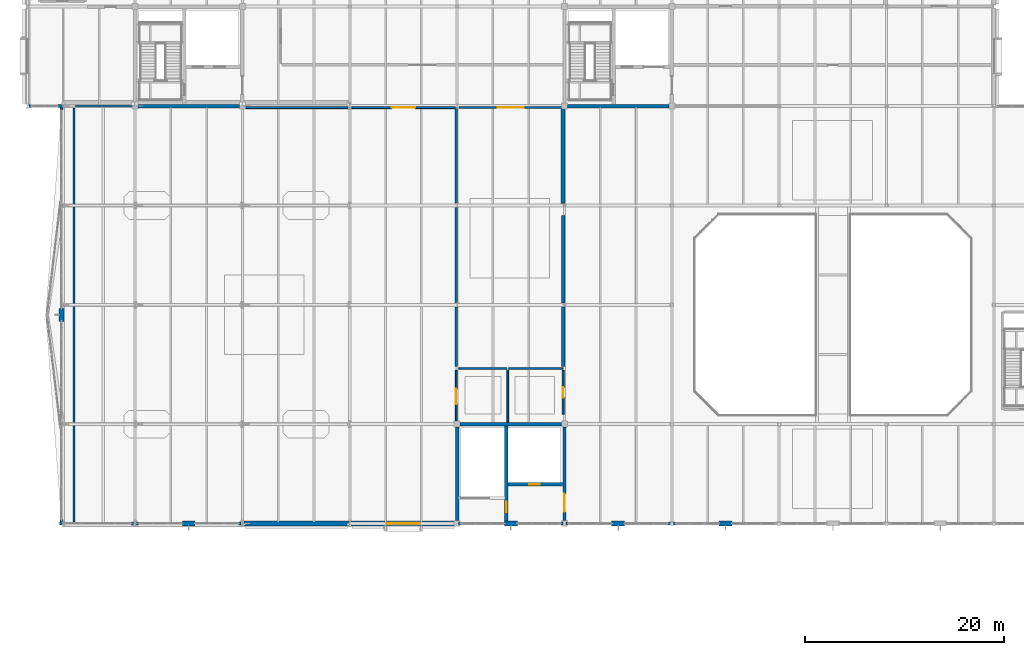
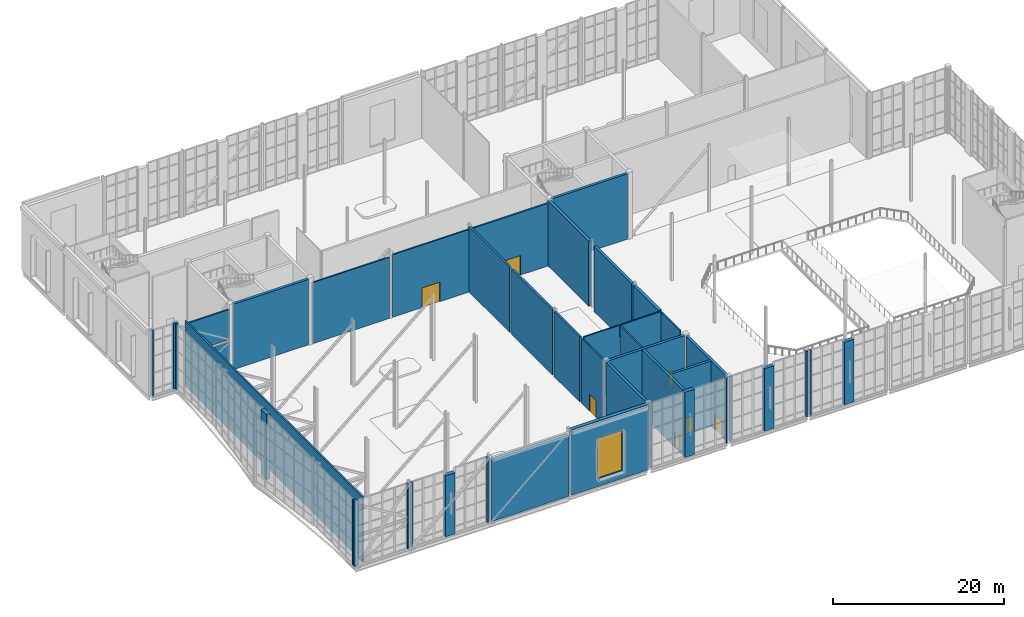
# One storey, part 85 of 100: 44 walls, 7 doors, 1 window, 8 openings.
"""IFC4 building model written with IfcOpenShell, lengths in metres."""

from ifc_helpers import new_model, si_unit, direction, frame, frame_2d, origin, place, context, subcontext, project, spatial, rectangle, extrude, material, layer, layer_set, type_object, element, fill, save


model = new_model("IFC4")

# Units and contexts
model_context = context("Model", 3, precision=1e-05, world=origin(), true_north=direction((0.0, 1.0)))
body_context = subcontext(model_context, "Body", "Model", "MODEL_VIEW")
ifc_project = project(units=[si_unit("LENGTHUNIT", "METRE"), si_unit("AREAUNIT", "SQUARE_METRE"), si_unit("VOLUMEUNIT", "CUBIC_METRE"), si_unit("PLANEANGLEUNIT", "RADIAN"), si_unit("MASSUNIT", "GRAM", prefix="KILO")], contexts=[model_context])

# Site, building, storey
site_placement = place(None, origin())
site = spatial("IfcSite", under=ifc_project, at=site_placement, CompositionType="ELEMENT")
building_placement = place(site_placement, origin())
building = spatial("IfcBuilding", under=site, at=building_placement, Name="Tasgan Crest Museum", CompositionType="ELEMENT")
storey_placement = place(building_placement, frame((0.0, 0.0, 14.39990234375)))
storey = spatial("IfcBuildingStorey", under=building, at=storey_placement, Name="L03", CompositionType="ELEMENT", Elevation=14.39990234375)

# Walls
ifc_material_1 = material(Name="Concrete C40/50", Category="concrete")
ifc_layer_1 = layer(ifc_material_1, 0.35009765625, Name="WL-CORE-350")
ifc_layer_set_1 = layer_set([ifc_layer_1], Name="Concrete C40/50")
wall_type_1 = type_object("IfcWallType", Name="WL-CORE-350", PredefinedType="SHEAR", material=ifc_layer_set_1)
for number, where, z_axis, x_axis, name in (
    (1, (11.10009765625, 82.0, 0.0), (0.0, 0.0, 1.0), (1.0, 0.0, 0.0), "North-West Gallery Core south shear wall L03"),
    (2, (54.300048828125, 82.0, 0.0), (0.0, 0.0, 1.0), (1.0, 0.0, 0.0), "North-Central Sawtooth Core south shear wall L03"),
    (3, (43.5, 50.0, 0.0), (0.0, 0.0, 1.0), (1.0, 0.0, 0.0), "South-West Foyer & Paleontology Core north shear wall L03"),
):
    element("IfcWall", number, at=place(storey_placement, frame(where, z_axis=z_axis, x_axis=x_axis)), inside=storey, type_object=wall_type_1, Name=name, PredefinedType="SHEAR", context=body_context, shape_type="SweptSolid", body=[
        extrude(rectangle(XDim=10.199951171875, YDim=0.35009765625, at=frame_2d((5.10009765625, 0.0))), origin(), (0.0, 0.0, 1.0), 9.360107421875),
    ])
wall_1_placement = place(storey_placement, frame((43.199951171875, 40.300048828125, 0.0), z_axis=(0.0, 0.0, 1.0), x_axis=(0.0, 1.0, 0.0)))
element("IfcWall", 4, at=wall_1_placement, inside=storey, type_object=wall_type_1, Name="South-West Foyer & Paleontology Core west shear wall L03", PredefinedType="SHEAR", context=body_context, shape_type="SweptSolid", body=[
    extrude(rectangle(XDim=9.39990234375, YDim=0.35009765625, at=frame_2d((4.699951171875, 0.0))), origin(), (0.0, 0.0, 1.0), 9.360107421875),
])

# Wall, opening, door
wall_2_placement = place(storey_placement, frame((54.0, 40.300048828125, 0.0), z_axis=(0.0, 0.0, 1.0), x_axis=(0.0, 1.0, 0.0)))
wall_2 = element("IfcWall", 5, at=wall_2_placement, inside=storey, type_object=wall_type_1, Name="South-West Foyer & Paleontology Core east shear wall L03", PredefinedType="SHEAR", context=body_context, shape_type="SweptSolid", body=[
    extrude(rectangle(XDim=9.39990234375, YDim=0.35009765625, at=frame_2d((4.699951171875, 0.0))), origin(), (0.0, 0.0, 1.0), 9.360107421875),
])
opening_1_placement = place(wall_2_placement, frame((0.8798828125, 0.0, 0.0)))
opening_1 = element("IfcOpeningElement", 6, at=opening_1_placement, cuts=wall_2, Name="Opening LD-SW-L03", PredefinedType="OPENING", context=body_context, shape_type="SweptSolid", body=[
    extrude(rectangle(XDim=1.800048828125, YDim=2.25, at=frame_2d((0.89990234375, 1.125))), frame((0.0, 0.18505859375, 0.0), z_axis=(0.0, -1.0, 0.0), x_axis=(1.0, 0.0, 0.0)), (0.0, 0.0, 1.0), 0.3701171875),
])
ifc_material_2 = material(Name="Fire-Rated Double Lobby Door")
door_type_1 = type_object("IfcDoorType", Name="DR-FD2-1800", OperationType="NOTDEFINED", PredefinedType="DOOR", material=ifc_material_2)
door_1_placement = place(opening_1_placement, origin())
door_1 = element("IfcDoor", 7, at=door_1_placement, inside=storey, type_object=door_type_1, Name="South-West Foyer & Paleontology Core lobby door L03", OperationType="DOUBLE_DOOR_SINGLE_SWING", OverallHeight=2.25, OverallWidth=1.800048828125, PredefinedType="DOOR", context=body_context, shape_type="SweptSolid", body=[
    extrude(rectangle(XDim=1.800048828125, YDim=2.25, at=frame_2d((0.89990234375, 1.125))), frame((0.0, 0.02490234375, 0.0), z_axis=(0.0, -1.0, 0.0), x_axis=(1.0, 0.0, 0.0)), (0.0, 0.0, 1.0), 0.050048828125),
])
fill(opening_1, door_1)

wall_3_placement = place(storey_placement, frame((48.14990234375, 40.219970703125, 0.0), z_axis=(0.0, 0.0, 1.0), x_axis=(0.0, 1.0, 0.0)))
wall_3 = element("IfcWall", 8, at=wall_3_placement, inside=storey, type_object=wall_type_1, Name="South-West Foyer & Paleontology Core stair-lobby shear wall L03", PredefinedType="SHEAR", context=body_context, shape_type="SweptSolid", body=[
    extrude(rectangle(XDim=9.60498046875, YDim=0.35009765625, at=frame_2d((4.802490234375, 0.0))), origin(), (0.0, 0.0, 1.0), 9.360107421875),
])
opening_2_placement = place(wall_3_placement, frame((0.89990234375, 0.0, 0.0)))
opening_2 = element("IfcOpeningElement", 9, at=opening_2_placement, cuts=wall_3, Name="Opening SD-SW-L03", PredefinedType="OPENING", context=body_context, shape_type="SweptSolid", body=[
    extrude(rectangle(XDim=1.10009765625, YDim=2.199951171875, at=frame_2d((0.550048828125, 1.10009765625))), frame((0.0, 0.18505859375, 0.0), z_axis=(0.0, -1.0, 0.0), x_axis=(1.0, 0.0, 0.0)), (0.0, 0.0, 1.0), 0.3701171875),
])
ifc_material_3 = material(Name="Fire-Rated Steel Door", Category="steel")
door_type_2 = type_object("IfcDoorType", Name="DR-FD1-1100", OperationType="NOTDEFINED", PredefinedType="DOOR", material=ifc_material_3)
door_2_placement = place(opening_2_placement, origin())
door_2 = element("IfcDoor", 10, at=door_2_placement, inside=storey, type_object=door_type_2, Name="South-West Foyer & Paleontology Core stair door L03", OperationType="SINGLE_SWING_RIGHT", OverallHeight=2.199951171875, OverallWidth=1.10009765625, PredefinedType="DOOR", context=body_context, shape_type="SweptSolid", body=[
    extrude(rectangle(XDim=1.10009765625, YDim=2.199951171875, at=frame_2d((0.550048828125, 1.10009765625))), frame((0.0, 0.02490234375, 0.0), z_axis=(0.0, -1.0, 0.0), x_axis=(1.0, 0.0, 0.0)), (0.0, 0.0, 1.0), 0.050048828125),
])
fill(opening_2, door_2)

wall_4_placement = place(storey_placement, frame((48.330078125, 43.949951171875, 0.0), z_axis=(0.0, 0.0, 1.0), x_axis=(1.0, 0.0, 0.0)))
wall_4 = element("IfcWall", 11, at=wall_4_placement, inside=storey, type_object=wall_type_1, Name="South-West Foyer & Paleontology Core lift-shaft wall L03", PredefinedType="SHEAR", context=body_context, shape_type="SweptSolid", body=[
    extrude(rectangle(XDim=5.489990234375, YDim=0.35009765625, at=frame_2d((2.7451171875, 0.0))), origin(), (0.0, 0.0, 1.0), 9.360107421875),
])
opening_3_placement = place(wall_4_placement, frame((2.10009765625, 0.0, 0.0)))
opening_3 = element("IfcOpeningElement", 12, at=opening_3_placement, cuts=wall_4, Name="Opening LD-PL3", PredefinedType="OPENING", context=body_context, shape_type="SweptSolid", body=[
    extrude(rectangle(XDim=1.10009765625, YDim=2.199951171875, at=frame_2d((0.550048828125, 1.10009765625))), frame((0.0, 0.18505859375, 0.0), z_axis=(0.0, -1.0, 0.0), x_axis=(1.0, 0.0, 0.0)), (0.0, 0.0, 1.0), 0.3701171875),
])
ifc_material_4 = material(Name="Brushed Bronze Passenger Lift Landing Door")
door_type_3 = type_object("IfcDoorType", Name="LD-PAX-1100", OperationType="NOTDEFINED", PredefinedType="DOOR", material=ifc_material_4)
door_3_placement = place(opening_3_placement, origin())
door_3 = element("IfcDoor", 13, at=door_3_placement, inside=storey, type_object=door_type_3, Name="Lift landing sliding door PL3 L03", OperationType="DOUBLE_DOOR_SLIDING", OverallHeight=2.199951171875, OverallWidth=1.10009765625, PredefinedType="DOOR", context=body_context, shape_type="SweptSolid", body=[
    extrude(rectangle(XDim=1.10009765625, YDim=2.199951171875, at=frame_2d((0.550048828125, 1.10009765625))), frame((0.0, 0.02490234375, 0.0), z_axis=(0.0, -1.0, 0.0), x_axis=(1.0, 0.0, 0.0)), (0.0, 0.0, 1.0), 0.050048828125),
])
fill(opening_3, door_3)

# Walls
ifc_material_5 = material(Name="Precast concrete C40/50", Category="concrete")
ifc_layer_2 = layer(ifc_material_5, 0.320068359375, Name="WL-EXT-CLER-320")
ifc_layer_set_2 = layer_set([ifc_layer_2], Name="Precast concrete C40/50")
wall_type_2 = type_object("IfcWallType", Name="WL-EXT-CLER-320", PredefinedType="STANDARD", material=ifc_layer_set_2)
wall_5_placement = place(storey_placement, frame((0.14501953125, 82.0, 0.0), z_axis=(0.0, 0.0, 1.0), x_axis=(1.0, 0.0, 0.0)))
element("IfcWall", 14, at=wall_5_placement, inside=storey, type_object=wall_type_2, Name="Curtain wall jamb closure L03 JL", PredefinedType="STANDARD", context=body_context, shape_type="SweptSolid", body=[
    extrude(rectangle(XDim=0.22509765625, YDim=0.300048828125, at=frame_2d((0.112548828125, 0.0))), origin(), (0.0, 0.0, 1.0), 9.360107421875),
])
wall_6_placement = place(storey_placement, frame((3.030029296875, 82.0, 0.0), z_axis=(0.0, 0.0, 1.0), x_axis=(1.0, 0.0, 0.0)))
element("IfcWall", 15, at=wall_6_placement, inside=storey, type_object=wall_type_2, Name="Curtain wall jamb closure L03 JR", PredefinedType="STANDARD", context=body_context, shape_type="SweptSolid", body=[
    extrude(rectangle(XDim=0.56005859375, YDim=0.300048828125, at=frame_2d((0.280029296875, 0.0))), origin(), (0.0, 0.0, 1.0), 9.360107421875),
])
for number, where, z_axis, x_axis, name in (
    (16, (3.39990234375, 81.820068359375, 0.0), (0.0, 0.0, 1.0), (0.0, -1.0, 0.0), "Curtain wall jamb closure L03 JL"),
    (17, (3.39990234375, 40.3701171875, 0.0), (0.0, 0.0, 1.0), (0.0, -1.0, 0.0), "Curtain wall jamb closure L03 JR"),
):
    element("IfcWall", number, at=place(storey_placement, frame(where, z_axis=z_axis, x_axis=x_axis)), inside=storey, type_object=wall_type_2, Name=name, PredefinedType="STANDARD", context=body_context, shape_type="SweptSolid", body=[
        extrude(rectangle(XDim=0.190185546875, YDim=0.300048828125, at=frame_2d((0.09521484375, 0.0))), origin(), (0.0, 0.0, 1.0), 9.360107421875),
    ])
wall_7_placement = place(storey_placement, frame((3.2099609375, 40.0, 0.0), z_axis=(0.0, 0.0, 1.0), x_axis=(1.0, 0.0, 0.0)))
element("IfcWall", 18, at=wall_7_placement, inside=storey, type_object=wall_type_2, Name="Curtain wall jamb closure L03 JL", PredefinedType="STANDARD", context=body_context, shape_type="SweptSolid", body=[
    extrude(rectangle(XDim=0.56005859375, YDim=0.300048828125, at=frame_2d((0.280029296875, 0.0))), origin(), (0.0, 0.0, 1.0), 9.360107421875),
])
wall_8_placement = place(storey_placement, frame((10.429931640625, 40.0, 0.0), z_axis=(0.0, 0.0, 1.0), x_axis=(1.0, 0.0, 0.0)))
element("IfcWall", 19, at=wall_8_placement, inside=storey, type_object=wall_type_2, Name="Curtain wall jamb closure L03 JR", PredefinedType="STANDARD", context=body_context, shape_type="SweptSolid", body=[
    extrude(rectangle(XDim=0.22509765625, YDim=0.300048828125, at=frame_2d((0.112548828125, 0.0))), origin(), (0.0, 0.0, 1.0), 9.360107421875),
])
wall_9_placement = place(storey_placement, frame((10.945068359375, 40.0, 0.0), z_axis=(0.0, 0.0, 1.0), x_axis=(1.0, 0.0, 0.0)))
element("IfcWall", 20, at=wall_9_placement, inside=storey, type_object=wall_type_2, Name="Curtain wall jamb closure L03 JL", PredefinedType="STANDARD", context=body_context, shape_type="SweptSolid", body=[
    extrude(rectangle(XDim=0.224853515625, YDim=0.300048828125, at=frame_2d((0.1123046875, 0.0))), origin(), (0.0, 0.0, 1.0), 9.360107421875),
])
for number, where, z_axis, x_axis, name in (
    (21, (21.22998046875, 40.0, 0.0), (0.0, 0.0, 1.0), (1.0, 0.0, 0.0), "Curtain wall jamb closure L03 JR"),
    (22, (43.344970703125, 40.0, 0.0), (0.0, 0.0, 1.0), (1.0, 0.0, 0.0), "Curtain wall jamb closure L03 JL"),
    (23, (53.6298828125, 40.0, 0.0), (0.0, 0.0, 1.0), (1.0, 0.0, 0.0), "Curtain wall jamb closure L03 JR"),
    (24, (54.14501953125, 40.0, 0.0), (0.0, 0.0, 1.0), (1.0, 0.0, 0.0), "Curtain wall jamb closure L03 JL"),
    (25, (64.429931640625, 40.0, 0.0), (0.0, 0.0, 1.0), (1.0, 0.0, 0.0), "Curtain wall jamb closure L03 JR"),
):
    element("IfcWall", number, at=place(storey_placement, frame(where, z_axis=z_axis, x_axis=x_axis)), inside=storey, type_object=wall_type_2, Name=name, PredefinedType="STANDARD", context=body_context, shape_type="SweptSolid", body=[
        extrude(rectangle(XDim=0.22509765625, YDim=0.300048828125, at=frame_2d((0.112548828125, 0.0))), origin(), (0.0, 0.0, 1.0), 9.360107421875),
    ])
wall_10_placement = place(storey_placement, frame((64.945068359375, 40.0, 0.0), z_axis=(0.0, 0.0, 1.0), x_axis=(1.0, 0.0, 0.0)))
element("IfcWall", 26, at=wall_10_placement, inside=storey, type_object=wall_type_2, Name="Curtain wall jamb closure L03 JL", PredefinedType="STANDARD", context=body_context, shape_type="SweptSolid", body=[
    extrude(rectangle(XDim=0.224853515625, YDim=0.300048828125, at=frame_2d((0.1123046875, 0.0))), origin(), (0.0, 0.0, 1.0), 9.360107421875),
])
ifc_material_6 = material(Name="Precast concrete C40/50", Category="concrete")
ifc_layer_3 = layer(ifc_material_6, 0.47998046875, Name="WL-EXT-GRAN-480")
ifc_layer_set_3 = layer_set([ifc_layer_3], Name="Precast concrete C40/50")
wall_type_3 = type_object("IfcWallType", Name="WL-EXT-GRAN-480", PredefinedType="STANDARD", material=ifc_layer_set_3)
wall_11_placement = place(storey_placement, frame((3.39990234375, 61.64990234375, 0.0), z_axis=(0.0, 0.0, 1.0), x_axis=(0.0, -1.0, 0.0)))
element("IfcWall", 27, at=wall_11_placement, inside=storey, type_object=wall_type_3, Name="Postmodern facade stone pier L03", PredefinedType="STANDARD", context=body_context, shape_type="SweptSolid", body=[
    extrude(rectangle(XDim=1.2998046875, YDim=0.47998046875, at=frame_2d((0.64990234375, 0.0))), origin(), (0.0, 0.0, 1.0), 9.360107421875),
])
wall_12_placement = place(storey_placement, frame((15.550048828125, 40.0, 0.0), z_axis=(0.0, 0.0, 1.0), x_axis=(1.0, 0.0, 0.0)))
element("IfcWall", 28, at=wall_12_placement, inside=storey, type_object=wall_type_3, Name="Postmodern facade stone pier L03", PredefinedType="STANDARD", context=body_context, shape_type="SweptSolid", body=[
    extrude(rectangle(XDim=1.300048828125, YDim=0.47998046875, at=frame_2d((0.64990234375, 0.0))), origin(), (0.0, 0.0, 1.0), 8.759033203125),
])
wall_13_placement = place(storey_placement, frame((21.7451171875, 40.0, 0.0), z_axis=(0.0, 0.0, 1.0), x_axis=(1.0, 0.0, 0.0)))
element("IfcWall", 29, at=wall_13_placement, inside=storey, type_object=wall_type_3, Name="Exterior wall L03 (27.0,40.0)", PredefinedType="STANDARD", context=body_context, shape_type="SweptSolid", body=[
    extrude(rectangle(XDim=10.509765625, YDim=0.47998046875, at=frame_2d((5.2548828125, 0.0))), origin(), (0.0, 0.0, 1.0), 8.759033203125),
])

# Wall, opening, window
wall_14_placement = place(storey_placement, frame((32.544921875, 40.0, 0.0), z_axis=(0.0, 0.0, 1.0), x_axis=(1.0, 0.0, 0.0)))
wall_14 = element("IfcWall", 30, at=wall_14_placement, inside=storey, type_object=wall_type_3, Name="Exterior wall L03 (37.8,40.0)", PredefinedType="STANDARD", context=body_context, shape_type="SweptSolid", body=[
    extrude(rectangle(XDim=10.510009765625, YDim=0.47998046875, at=frame_2d((5.2548828125, 0.0))), origin(), (0.0, 0.0, 1.0), 9.360107421875),
])
opening_4_placement = place(wall_14_placement, frame((3.554931640625, 0.0, 1.10009765625)))
opening_4 = element("IfcOpeningElement", 31, at=opening_4_placement, cuts=wall_14, Name="Opening W09", PredefinedType="OPENING", context=body_context, shape_type="SweptSolid", body=[
    extrude(rectangle(XDim=3.39990234375, YDim=5.800048828125, at=frame_2d((1.699951171875, 2.89990234375))), frame((0.0, 0.25, 0.0), z_axis=(0.0, -1.0, 0.0), x_axis=(1.0, 0.0, 0.0)), (0.0, 0.0, 1.0), 0.5),
])
ifc_material_7 = material(Name="Thermally Broken Triple-Glazed Aluminium", Category="aluminium")
window_type = type_object("IfcWindowType", Name="WN-GAL-DH-3400X5800", PartitioningType="SINGLE_PANEL", PredefinedType="WINDOW", material=ifc_material_7)
window_placement = place(opening_4_placement, origin())
window = element("IfcWindow", 32, at=window_placement, inside=storey, type_object=window_type, Name="Window W09 L03-059", OverallHeight=5.800048828125, OverallWidth=3.39990234375, PartitioningType="SINGLE_PANEL", PredefinedType="WINDOW", context=body_context, shape_type="SweptSolid", body=[
    extrude(rectangle(XDim=3.39990234375, YDim=5.800048828125, at=frame_2d((1.699951171875, 2.89990234375))), frame((0.0, 0.030029296875, 0.0), z_axis=(0.0, -1.0, 0.0), x_axis=(1.0, 0.0, 0.0)), (0.0, 0.0, 1.0), 0.06005859375),
])
fill(opening_4, window)

# Walls
wall_15_placement = place(storey_placement, frame((47.949951171875, 40.0, 0.0), z_axis=(0.0, 0.0, 1.0), x_axis=(1.0, 0.0, 0.0)))
element("IfcWall", 33, at=wall_15_placement, inside=storey, type_object=wall_type_3, Name="Postmodern facade stone pier L03", PredefinedType="STANDARD", context=body_context, shape_type="SweptSolid", body=[
    extrude(rectangle(XDim=1.300048828125, YDim=0.47998046875, at=frame_2d((0.64990234375, 0.0))), origin(), (0.0, 0.0, 1.0), 9.360107421875),
])
for number, where, z_axis, x_axis, name in (
    (34, (58.75, 40.0, 0.0), (0.0, 0.0, 1.0), (1.0, 0.0, 0.0), "Postmodern facade stone pier L03"),
    (35, (69.550048828125, 40.0, 0.0), (0.0, 0.0, 1.0), (1.0, 0.0, 0.0), "Postmodern facade stone pier L03"),
):
    element("IfcWall", number, at=place(storey_placement, frame(where, z_axis=z_axis, x_axis=x_axis)), inside=storey, type_object=wall_type_3, Name=name, PredefinedType="STANDARD", context=body_context, shape_type="SweptSolid", body=[
        extrude(rectangle(XDim=1.300048828125, YDim=0.47998046875, at=frame_2d((0.64990234375, 0.0))), origin(), (0.0, 0.0, 1.0), 8.960205078125),
    ])

# Wall, opening, door
ifc_material_8 = material(Name="Sanitary Plumbing Chase Wall")
ifc_layer_4 = layer(ifc_material_8, 0.179931640625, Name="WL-PLUMB-180")
ifc_layer_set_4 = layer_set([ifc_layer_4], Name="Sanitary Plumbing Chase Wall")
wall_type_4 = type_object("IfcWallType", Name="WL-PLUMB-180", PredefinedType="PLUMBINGWALL", material=ifc_layer_set_4)
wall_16_placement = place(storey_placement, frame((43.10009765625, 50.179931640625, 0.0), z_axis=(0.0, 0.0, 1.0), x_axis=(0.0, 1.0, 0.0)))
wall_16 = element("IfcWall", 36, at=wall_16_placement, inside=storey, type_object=wall_type_4, Name="Partition Grand Cantilevered Paleontology Dinosaur Hall / Third Floor Public WC L03", PredefinedType="PLUMBINGWALL", context=body_context, shape_type="SweptSolid", body=[
    extrude(rectangle(XDim=5.219970703125, YDim=0.179931640625, at=frame_2d((2.60986328125, 0.0))), origin(), (0.0, 0.0, 1.0), 9.320068359375),
])
opening_5_placement = place(wall_16_placement, frame((1.820068359375, 0.0, 0.0)))
opening_5 = element("IfcOpeningElement", 37, at=opening_5_placement, cuts=wall_16, Name="Opening D083", PredefinedType="OPENING", context=body_context, shape_type="SweptSolid", body=[
    extrude(rectangle(XDim=1.580078125, YDim=2.47998046875, at=frame_2d((0.7900390625, 1.239990234375))), frame((0.0, 0.099853515625, 0.0), z_axis=(0.0, -1.0, 0.0), x_axis=(1.0, 0.0, 0.0)), (0.0, 0.0, 1.0), 0.199951171875),
])
ifc_material_9 = material(Name="Oak and Brushed Bronze Acoustic Door")
door_type_4 = type_object("IfcDoorType", Name="DR-SCH-27", OperationType="NOTDEFINED", PredefinedType="DOOR", material=ifc_material_9)
door_4_placement = place(opening_5_placement, origin())
door_4 = element("IfcDoor", 38, at=door_4_placement, inside=storey, type_object=door_type_4, Name="Third Floor Public WC door D083", OperationType="SINGLE_SWING_LEFT", OverallHeight=2.47998046875, OverallWidth=1.580078125, PredefinedType="DOOR", context=body_context, shape_type="SweptSolid", body=[
    extrude(rectangle(XDim=1.580078125, YDim=2.47998046875, at=frame_2d((0.7900390625, 1.239990234375))), frame((0.0, 0.02490234375, 0.0), z_axis=(0.0, -1.0, 0.0), x_axis=(1.0, 0.0, 0.0)), (0.0, 0.0, 1.0), 0.050048828125),
])
fill(opening_5, door_4)

wall_17_placement = place(storey_placement, frame((53.860107421875, 51.0, 0.0), z_axis=(0.0, 0.0, 1.0), x_axis=(0.0, 1.0, 0.0)))
wall_17 = element("IfcWall", 39, at=wall_17_placement, inside=storey, type_object=wall_type_4, Name="Partition Third Floor Accessible WC / West Dinosaur Overlook Promenade L03", PredefinedType="PLUMBINGWALL", context=body_context, shape_type="SweptSolid", body=[
    extrude(rectangle(XDim=4.39990234375, YDim=0.179931640625, at=frame_2d((2.199951171875, 0.0))), origin(), (0.0, 0.0, 1.0), 9.320068359375),
])
opening_6_placement = place(wall_17_placement, frame((1.675048828125, 0.0, 0.0)))
opening_6 = element("IfcOpeningElement", 40, at=opening_6_placement, cuts=wall_17, Name="Opening D084", PredefinedType="OPENING", context=body_context, shape_type="SweptSolid", body=[
    extrude(rectangle(XDim=1.050048828125, YDim=2.14990234375, at=frame_2d((0.52490234375, 1.074951171875))), frame((0.0, 0.099853515625, 0.0), z_axis=(0.0, -1.0, 0.0), x_axis=(1.0, 0.0, 0.0)), (0.0, 0.0, 1.0), 0.199951171875),
])
ifc_material_10 = material(Name="Accessible WC Outward-Opening Door")
door_type_5 = type_object("IfcDoorType", Name="DR-WC-ACC-1050", OperationType="NOTDEFINED", PredefinedType="DOOR", material=ifc_material_10)
door_5_placement = place(opening_6_placement, origin())
door_5 = element("IfcDoor", 41, at=door_5_placement, inside=storey, type_object=door_type_5, Name="Third Floor Accessible WC door D084", OperationType="SINGLE_SWING_RIGHT", OverallHeight=2.14990234375, OverallWidth=1.050048828125, PredefinedType="DOOR", context=body_context, shape_type="SweptSolid", body=[
    extrude(rectangle(XDim=1.050048828125, YDim=2.14990234375, at=frame_2d((0.52490234375, 1.074951171875))), frame((0.0, 0.02490234375, 0.0), z_axis=(0.0, -1.0, 0.0), x_axis=(1.0, 0.0, 0.0)), (0.0, 0.0, 1.0), 0.050048828125),
])
fill(opening_6, door_5)

# Walls
wall_18_placement = place(storey_placement, frame((43.3798828125, 55.60009765625, 0.0), z_axis=(0.0, 0.0, 1.0), x_axis=(1.0, 0.0, 0.0)))
element("IfcWall", 42, at=wall_18_placement, inside=storey, type_object=wall_type_4, Name="Partition Third Floor Public WC / Large Skeleton Rigging and Conservation Studio L03", PredefinedType="PLUMBINGWALL", context=body_context, shape_type="SweptSolid", body=[
    extrude(rectangle(XDim=4.820068359375, YDim=0.179931640625, at=frame_2d((2.41015625, 0.0))), origin(), (0.0, 0.0, 1.0), 9.320068359375),
])
wall_19_placement = place(storey_placement, frame((48.39990234375, 55.60009765625, 0.0), z_axis=(0.0, 0.0, 1.0), x_axis=(1.0, 0.0, 0.0)))
element("IfcWall", 43, at=wall_19_placement, inside=storey, type_object=wall_type_4, Name="Partition Third Floor Accessible WC / Large Skeleton Rigging and Conservation Studio L03", PredefinedType="PLUMBINGWALL", context=body_context, shape_type="SweptSolid", body=[
    extrude(rectangle(XDim=5.420166015625, YDim=0.179931640625, at=frame_2d((2.7099609375, 0.0))), origin(), (0.0, 0.0, 1.0), 9.320068359375),
])
wall_20_placement = place(storey_placement, frame((48.300048828125, 50.179931640625, 0.0), z_axis=(0.0, 0.0, 1.0), x_axis=(0.0, 1.0, 0.0)))
element("IfcWall", 44, at=wall_20_placement, inside=storey, type_object=wall_type_4, Name="Partition Third Floor Public WC / Third Floor Accessible WC L03", PredefinedType="PLUMBINGWALL", context=body_context, shape_type="SweptSolid", body=[
    extrude(rectangle(XDim=5.219970703125, YDim=0.179931640625, at=frame_2d((2.60986328125, 0.0))), origin(), (0.0, 0.0, 1.0), 9.320068359375),
])
ifc_material_11 = material(Name="Gypsum Acoustic Museum Partition")
ifc_layer_5 = layer(ifc_material_11, 0.18994140625, Name="WL-SCH-05")
ifc_layer_set_5 = layer_set([ifc_layer_5], Name="Gypsum Acoustic Museum Partition")
wall_type_5 = type_object("IfcWallType", Name="WL-SCH-05", PredefinedType="PARTITIONING", material=ifc_layer_set_5)
wall_21_placement = place(storey_placement, frame((21.780029296875, 81.85009765625, 0.0), z_axis=(0.0, 0.0, 1.0), x_axis=(1.0, 0.0, 0.0)))
element("IfcWall", 45, at=wall_21_placement, inside=storey, type_object=wall_type_5, Name="Partition Grand Cantilevered Paleontology Dinosaur Hall / Third Floor Grand Gallery Promenade L03", PredefinedType="PARTITIONING", context=body_context, shape_type="SweptSolid", body=[
    extrude(rectangle(XDim=10.419921875, YDim=0.18994140625, at=frame_2d((5.2099609375, 0.0))), origin(), (0.0, 0.0, 1.0), 8.759033203125),
])

# Wall, opening, door
wall_22_placement = place(storey_placement, frame((32.60009765625, 81.85009765625, 0.0), z_axis=(0.0, 0.0, 1.0), x_axis=(1.0, 0.0, 0.0)))
wall_22 = element("IfcWall", 46, at=wall_22_placement, inside=storey, type_object=wall_type_5, Name="Partition Grand Cantilevered Paleontology Dinosaur Hall / Third Floor Grand Gallery Promenade L03", PredefinedType="PARTITIONING", context=body_context, shape_type="SweptSolid", body=[
    extrude(rectangle(XDim=10.419921875, YDim=0.18994140625, at=frame_2d((5.2099609375, 0.0))), origin(), (0.0, 0.0, 1.0), 8.960205078125),
])
opening_7_placement = place(wall_22_placement, frame((4.010009765625, 0.0, 0.0)))
opening_7 = element("IfcOpeningElement", 47, at=opening_7_placement, cuts=wall_22, Name="Opening D074", PredefinedType="OPENING", context=body_context, shape_type="SweptSolid", body=[
    extrude(rectangle(XDim=2.39990234375, YDim=2.800048828125, at=frame_2d((1.199951171875, 1.39990234375))), frame((0.0, 0.10498046875, 0.0), z_axis=(0.0, -1.0, 0.0), x_axis=(1.0, 0.0, 0.0)), (0.0, 0.0, 1.0), 0.2099609375),
])
ifc_material_12 = material(Name="Bronze-Framed Gallery Portal Door")
door_type_6 = type_object("IfcDoorType", Name="DR-GAL-2400", OperationType="NOTDEFINED", PredefinedType="DOOR", material=ifc_material_12)
door_6_placement = place(opening_7_placement, origin())
door_6 = element("IfcDoor", 48, at=door_6_placement, inside=storey, type_object=door_type_6, Name="Grand Cantilevered Paleontology Dinosaur Hall door D074", OperationType="DOUBLE_DOOR_SINGLE_SWING", OverallHeight=2.800048828125, OverallWidth=2.39990234375, PredefinedType="DOOR", context=body_context, shape_type="SweptSolid", body=[
    extrude(rectangle(XDim=2.39990234375, YDim=2.800048828125, at=frame_2d((1.199951171875, 1.39990234375))), frame((0.0, 0.02490234375, 0.0), z_axis=(0.0, -1.0, 0.0), x_axis=(1.0, 0.0, 0.0)), (0.0, 0.0, 1.0), 0.050048828125),
])
fill(opening_7, door_6)

# Walls
ifc_material_13 = material(Name="Gypsum Acoustic Museum Partition")
ifc_layer_6 = layer(ifc_material_13, 0.2099609375, Name="WL-SCH-06")
ifc_layer_set_6 = layer_set([ifc_layer_6], Name="Gypsum Acoustic Museum Partition")
wall_type_6 = type_object("IfcWallType", Name="WL-SCH-06", PredefinedType="PARTITIONING", material=ifc_layer_set_6)
wall_23_placement = place(storey_placement, frame((4.800048828125, 82.0, 0.0), z_axis=(0.0, 0.0, 1.0), x_axis=(1.0, 0.0, 0.0)))
element("IfcWall", 49, at=wall_23_placement, inside=storey, type_object=wall_type_6, Name="Partition Grand Cantilevered Paleontology Dinosaur Hall / Mammoth and Megafauna Double-Height Gallery L03", PredefinedType="PARTITIONING", context=body_context, shape_type="SweptSolid", body=[
    extrude(rectangle(XDim=5.820068359375, YDim=0.2099609375, at=frame_2d((2.91015625, 0.0))), origin(), (0.0, 0.0, 1.0), 4.05419921875),
])
wall_24_placement = place(storey_placement, frame((4.64990234375, 40.179931640625, 0.0), z_axis=(0.0, 0.0, 1.0), x_axis=(0.0, 1.0, 0.0)))
element("IfcWall", 50, at=wall_24_placement, inside=storey, type_object=wall_type_6, Name="Partition Grand Cantilevered Paleontology Dinosaur Hall / Circulation L03", PredefinedType="PARTITIONING", context=body_context, shape_type="SweptSolid", body=[
    extrude(rectangle(XDim=41.64013671875, YDim=0.2099609375, at=frame_2d((20.820068359375, 0.0))), origin(), (0.0, 0.0, 1.0), 9.320068359375),
])
wall_25_placement = place(storey_placement, frame((4.800048828125, 82.0, 4.445068359375), z_axis=(0.0, 0.0, 1.0), x_axis=(1.0, 0.0, 0.0)))
element("IfcWall", 51, at=wall_25_placement, inside=storey, type_object=wall_type_6, Name="Partition Grand Cantilevered Paleontology Dinosaur Hall / Mammoth and Megafauna Double-Height Gallery L03", PredefinedType="PARTITIONING", context=body_context, shape_type="SweptSolid", body=[
    extrude(rectangle(XDim=5.820068359375, YDim=0.2099609375, at=frame_2d((2.91015625, 0.0))), origin(), (0.0, 0.0, 1.0), 4.31396484375),
])

# Wall, opening, door
ifc_material_14 = material(Name="Gypsum Acoustic Museum Partition")
ifc_layer_7 = layer(ifc_material_14, 0.22998046875, Name="WL-SCH-07")
ifc_layer_set_7 = layer_set([ifc_layer_7], Name="Gypsum Acoustic Museum Partition")
wall_type_7 = type_object("IfcWallType", Name="WL-SCH-07", PredefinedType="PARTITIONING", material=ifc_layer_set_7)
wall_26_placement = place(storey_placement, frame((43.3798828125, 81.85009765625, 0.0), z_axis=(0.0, 0.0, 1.0), x_axis=(1.0, 0.0, 0.0)))
wall_26 = element("IfcWall", 52, at=wall_26_placement, inside=storey, type_object=wall_type_7, Name="Partition Large Skeleton Rigging and Conservation Studio / Third Floor Grand Gallery Promenade L03", PredefinedType="PARTITIONING", context=body_context, shape_type="SweptSolid", body=[
    extrude(rectangle(XDim=10.440185546875, YDim=0.22998046875, at=frame_2d((5.22021484375, 0.0))), origin(), (0.0, 0.0, 1.0), 8.960205078125),
])
opening_8_placement = place(wall_26_placement, frame((3.919921875, 0.0, 0.0)))
opening_8 = element("IfcOpeningElement", 53, at=opening_8_placement, cuts=wall_26, Name="Opening D075", PredefinedType="OPENING", context=body_context, shape_type="SweptSolid", body=[
    extrude(rectangle(XDim=2.60009765625, YDim=2.800048828125, at=frame_2d((1.300048828125, 1.39990234375))), frame((0.0, 0.125, 0.0), z_axis=(0.0, -1.0, 0.0), x_axis=(1.0, 0.0, 0.0)), (0.0, 0.0, 1.0), 0.25),
])
ifc_material_15 = material(Name="Oak and Brushed Bronze Acoustic Door")
door_type_7 = type_object("IfcDoorType", Name="DR-SCH-19", OperationType="NOTDEFINED", PredefinedType="DOOR", material=ifc_material_15)
door_7_placement = place(opening_8_placement, origin())
door_7 = element("IfcDoor", 54, at=door_7_placement, inside=storey, type_object=door_type_7, Name="Large Skeleton Rigging and Conservation Studio door D075", OperationType="DOUBLE_DOOR_SINGLE_SWING", OverallHeight=2.800048828125, OverallWidth=2.60009765625, PredefinedType="DOOR", context=body_context, shape_type="SweptSolid", body=[
    extrude(rectangle(XDim=2.60009765625, YDim=2.800048828125, at=frame_2d((1.300048828125, 1.39990234375))), frame((0.0, 0.02490234375, 0.0), z_axis=(0.0, -1.0, 0.0), x_axis=(1.0, 0.0, 0.0)), (0.0, 0.0, 1.0), 0.050048828125),
])
fill(opening_8, door_7)

# Walls
ifc_material_16 = material(Name="Gypsum Acoustic Museum Partition")
ifc_layer_8 = layer(ifc_material_16, 0.27001953125, Name="WL-SCH-08")
ifc_layer_set_8 = layer_set([ifc_layer_8], Name="Gypsum Acoustic Museum Partition")
wall_type_8 = type_object("IfcWallType", Name="WL-SCH-08", PredefinedType="PARTITIONING", material=ifc_layer_set_8)
wall_27_placement = place(storey_placement, frame((43.10009765625, 55.800048828125, 0.0), z_axis=(0.0, 0.0, 1.0), x_axis=(0.0, 1.0, 0.0)))
element("IfcWall", 55, at=wall_27_placement, inside=storey, type_object=wall_type_8, Name="Partition Grand Cantilevered Paleontology Dinosaur Hall / Large Skeleton Rigging and Conservation Studio L03", PredefinedType="PARTITIONING", context=body_context, shape_type="SweptSolid", body=[
    extrude(rectangle(XDim=6.0, YDim=0.27001953125, at=frame_2d((3.0, 0.0))), origin(), (0.0, 0.0, 1.0), 9.320068359375),
])
wall_28_placement = place(storey_placement, frame((43.10009765625, 62.199951171875, 0.0), z_axis=(0.0, 0.0, 1.0), x_axis=(0.0, 1.0, 0.0)))
element("IfcWall", 56, at=wall_28_placement, inside=storey, type_object=wall_type_8, Name="Partition Grand Cantilevered Paleontology Dinosaur Hall / Large Skeleton Rigging and Conservation Studio L03", PredefinedType="PARTITIONING", context=body_context, shape_type="SweptSolid", body=[
    extrude(rectangle(XDim=9.60009765625, YDim=0.27001953125, at=frame_2d((4.800048828125, 0.0))), origin(), (0.0, 0.0, 1.0), 9.320068359375),
])
wall_29_placement = place(storey_placement, frame((43.10009765625, 72.199951171875, 0.0), z_axis=(0.0, 0.0, 1.0), x_axis=(0.0, 1.0, 0.0)))
element("IfcWall", 57, at=wall_29_placement, inside=storey, type_object=wall_type_8, Name="Partition Grand Cantilevered Paleontology Dinosaur Hall / Large Skeleton Rigging and Conservation Studio L03", PredefinedType="PARTITIONING", context=body_context, shape_type="SweptSolid", body=[
    extrude(rectangle(XDim=9.6201171875, YDim=0.27001953125, at=frame_2d((4.81005859375, 0.0))), origin(), (0.0, 0.0, 1.0), 9.320068359375),
])
ifc_material_17 = material(Name="Gypsum Acoustic Museum Partition")
ifc_layer_9 = layer(ifc_material_17, 0.3701171875, Name="WL-SCH-12")
ifc_layer_set_9 = layer_set([ifc_layer_9], Name="Gypsum Acoustic Museum Partition")
wall_type_9 = type_object("IfcWallType", Name="WL-SCH-12", PredefinedType="PARTITIONING", material=ifc_layer_set_9)
wall_30_placement = place(storey_placement, frame((53.860107421875, 55.800048828125, 0.0), z_axis=(0.0, 0.0, 1.0), x_axis=(0.0, 1.0, 0.0)))
element("IfcWall", 58, at=wall_30_placement, inside=storey, type_object=wall_type_9, Name="Partition Large Skeleton Rigging and Conservation Studio / West Dinosaur Overlook Promenade L03", PredefinedType="PARTITIONING", context=body_context, shape_type="SweptSolid", body=[
    extrude(rectangle(XDim=6.0, YDim=0.3701171875, at=frame_2d((3.0, 0.0))), origin(), (0.0, 0.0, 1.0), 9.320068359375),
])
wall_31_placement = place(storey_placement, frame((53.860107421875, 62.199951171875, 0.0), z_axis=(0.0, 0.0, 1.0), x_axis=(0.0, 1.0, 0.0)))
element("IfcWall", 59, at=wall_31_placement, inside=storey, type_object=wall_type_9, Name="Partition Large Skeleton Rigging and Conservation Studio / West Dinosaur Overlook Promenade L03", PredefinedType="PARTITIONING", context=body_context, shape_type="SweptSolid", body=[
    extrude(rectangle(XDim=8.800048828125, YDim=0.3701171875, at=frame_2d((4.39990234375, 0.0))), origin(), (0.0, 0.0, 1.0), 9.320068359375),
])
ifc_material_18 = material(Name="Gypsum Acoustic Museum Partition")
ifc_layer_10 = layer(ifc_material_18, 0.409912109375, Name="WL-SCH-14")
ifc_layer_set_10 = layer_set([ifc_layer_10], Name="Gypsum Acoustic Museum Partition")
wall_type_10 = type_object("IfcWallType", Name="WL-SCH-14", PredefinedType="PARTITIONING", material=ifc_layer_set_10)
wall_32_placement = place(storey_placement, frame((53.860107421875, 72.199951171875, 0.0), z_axis=(0.0, 0.0, 1.0), x_axis=(0.0, 1.0, 0.0)))
element("IfcWall", 60, at=wall_32_placement, inside=storey, type_object=wall_type_10, Name="Partition Large Skeleton Rigging and Conservation Studio / Double-Height North Atrium Promenade L03", PredefinedType="PARTITIONING", context=body_context, shape_type="SweptSolid", body=[
    extrude(rectangle(XDim=9.6201171875, YDim=0.409912109375, at=frame_2d((4.81005859375, 0.0))), origin(), (0.0, 0.0, 1.0), 9.320068359375),
])

save(model, "model.ifc")
